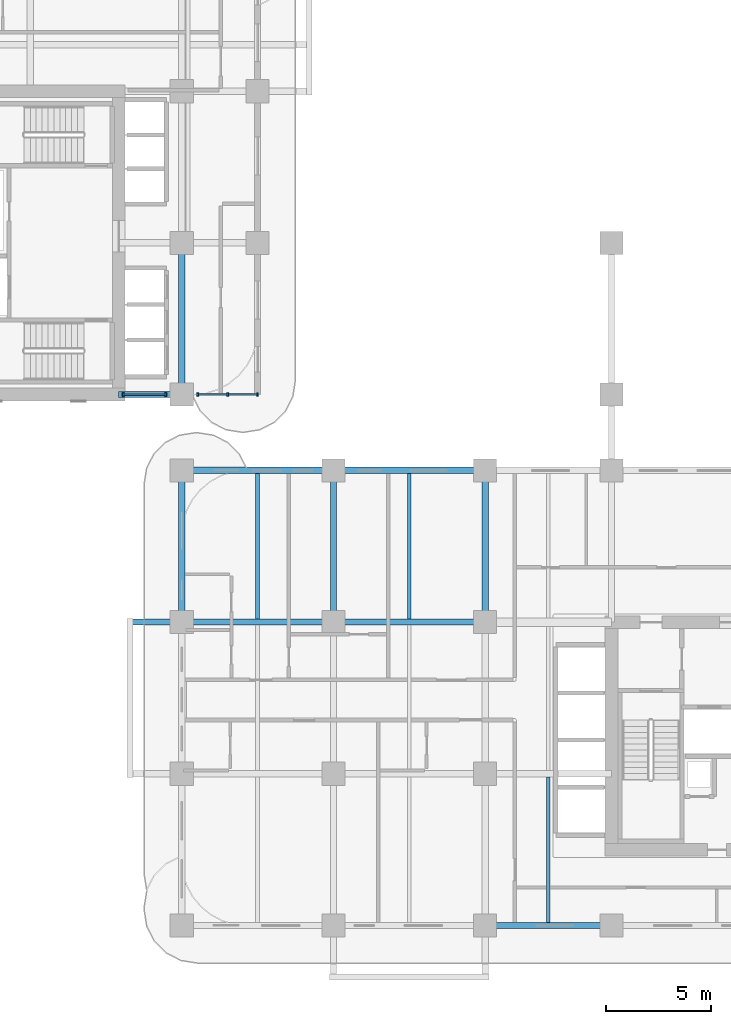
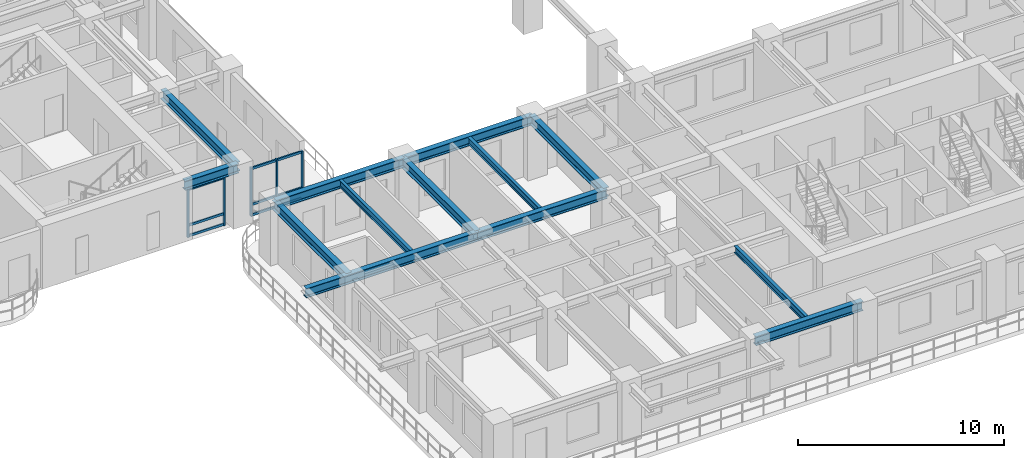
# One storey, part 2 of 19: 14 members, 13 beams, 2 elements without a shape of their own.
"""IFC4 building model written with IfcOpenShell, lengths in metres."""

import ifcopenshell
import ifcopenshell.guid

model = None  # the IFC model being written
_history = None  # IfcOwnerHistory: only IFC2X3 demands one
_inside = {}  # id of a spatial element -> (the spatial element, [elements in it])
_under = {}  # id of a project, library or spatial element -> (it, [spatial elements below it])
_declared = {}  # id of a project -> (the project, [libraries it declares])
_typed = {}  # id of a type object -> (the type object, [elements of that type])
_made_of = {}  # id of a material, layer set ... -> (it, [elements and type objects made of it])


def new_model(schema):
    """Start an empty IFC model of exactly this schema.

    Asked for "IFC4X3", IfcOpenShell would pick the latest addendum, in which some entities
    have other attributes; the version numbers below select the first issue.
    IFC2X3 requires an IfcOwnerHistory on every rooted entity: one is made here for all.
    """
    global model, _history
    if schema == "IFC4X3":
        model = ifcopenshell.file(schema_version=(4, 3, 0, 0))
    else:
        model = ifcopenshell.file(schema=schema)
    _inside.clear()
    _under.clear()
    _declared.clear()
    _typed.clear()
    _made_of.clear()
    _history = None
    if model.schema == "IFC2X3":
        org = make("IfcOrganization", Name="unknown")
        user = make(
            "IfcPersonAndOrganization",
            ThePerson=make("IfcPerson", FamilyName="unknown"),
            TheOrganization=org,
        )
        app = make(
            "IfcApplication",
            ApplicationDeveloper=org,
            Version="unknown",
            ApplicationFullName="unknown",
            ApplicationIdentifier="unknown",
        )
        _history = make(
            "IfcOwnerHistory",
            OwningUser=user,
            OwningApplication=app,
            ChangeAction="ADDED",
            CreationDate=0,
        )
    return model


def make(cls, **values):
    """One entity of the class cls with the attributes given. An attribute that is None is left unset."""
    return model.create_entity(
        cls, **{name: value for name, value in values.items() if value is not None}
    )


def rooted(cls, **values):
    """An entity with a GlobalId (a new one), such as an element, a storey or a relation."""
    return make(cls, GlobalId=ifcopenshell.guid.new(), OwnerHistory=_history, **values)


def si_unit(unit_type, name, prefix=None):
    """IfcSIUnit, for example si_unit("LENGTHUNIT", "METRE", prefix="MILLI")."""
    return make("IfcSIUnit", UnitType=unit_type, Prefix=prefix, Name=name)


def derived_unit(unit_type, elements):
    """IfcDerivedUnit: a product of units, each with its exponent."""
    return make(
        "IfcDerivedUnit",
        Elements=[
            make("IfcDerivedUnitElement", Unit=unit, Exponent=power)
            for unit, power in elements
        ],
        UnitType=unit_type,
    )


def assignment(units):
    """IfcUnitAssignment: the units of a project."""
    return None if units is None else make("IfcUnitAssignment", Units=units)


def point(xyz):
    """IfcCartesianPoint."""
    return None if xyz is None else make("IfcCartesianPoint", Coordinates=xyz)


def direction(xyz):
    """IfcDirection."""
    return None if xyz is None else make("IfcDirection", DirectionRatios=xyz)


def frame(location, z_axis=None, x_axis=None):
    """IfcAxis2Placement3D, a coordinate frame: its origin and axes. An axis left out is left unset."""
    return make(
        "IfcAxis2Placement3D",
        Location=point(location),
        Axis=direction(z_axis),
        RefDirection=direction(x_axis),
    )


def frame_2d(location, x_axis=None):
    """IfcAxis2Placement2D, a coordinate frame in the plane: its origin and x axis."""
    return make(
        "IfcAxis2Placement2D", Location=point(location), RefDirection=direction(x_axis)
    )


def origin():
    """The frame at (0, 0, 0) with its axes left unset."""
    return frame((0.0, 0.0, 0.0))


def origin_2d():
    """The frame at (0, 0) in the plane with its x axis left unset."""
    return frame_2d((0.0, 0.0))


def place(relative_to, where):
    """IfcLocalPlacement: puts the frame where relative to a parent placement (None: the world)."""
    return make(
        "IfcLocalPlacement", PlacementRelTo=relative_to, RelativePlacement=where
    )


def context(
    kind, dimensions, precision=None, world=None, true_north=None, identifier=None
):
    """IfcGeometricRepresentationContext, for example the 3D "Model" context."""
    return make(
        "IfcGeometricRepresentationContext",
        ContextIdentifier=identifier,
        ContextType=kind,
        CoordinateSpaceDimension=dimensions,
        Precision=precision,
        WorldCoordinateSystem=world,
        TrueNorth=true_north,
    )


def subcontext(parent, identifier, kind, view, scale=None):
    """IfcGeometricRepresentationSubContext, for example "Body" below "Model"."""
    return make(
        "IfcGeometricRepresentationSubContext",
        ContextIdentifier=identifier,
        ContextType=kind,
        ParentContext=parent,
        TargetScale=scale,
        TargetView=view,
    )


def project(units=None, contexts=None):
    """IfcProject with its units and contexts."""
    return rooted(
        "IfcProject",
        Name="project",
        RepresentationContexts=contexts,
        UnitsInContext=assignment(units),
    )


def spatial(cls, under=None, at=None, **own):
    """A site, building, storey or space (cls), placed at a placement, below another one or the project."""
    s = rooted(cls, ObjectPlacement=at, **own)
    if under is not None:
        _under.setdefault(under.id(), (under, []))[1].append(s)
    return s


def profile(cls, at=None, kind="AREA", **sizes):
    """A parametric profile (cls). Its sizes go by their IFC names, for example OverallWidth=200.0."""
    return make(cls, ProfileType=kind, Position=at, **sizes)


def rectangle(**sizes):
    """IfcRectangleProfileDef."""
    return profile("IfcRectangleProfileDef", **sizes)


def i_section(**sizes):
    """IfcIShapeProfileDef."""
    return profile("IfcIShapeProfileDef", **sizes)


def extrude(swept, where, along, depth):
    """IfcExtrudedAreaSolid: the profile swept, set in the frame where, extruded along a direction by depth."""
    return make(
        "IfcExtrudedAreaSolid",
        SweptArea=swept,
        Position=where,
        ExtrudedDirection=direction(along),
        Depth=depth,
    )


def shape(context_of_items, identifier, shape_type, items):
    """IfcShapeRepresentation: the items that make up one representation, for example the "Body"."""
    return make(
        "IfcShapeRepresentation",
        ContextOfItems=context_of_items,
        RepresentationIdentifier=identifier,
        RepresentationType=shape_type,
        Items=items,
    )


def source(mapping_origin, context_of_items, identifier, shape_type, items):
    """IfcRepresentationMap: a shape defined once, which mapped items show again and again."""
    return make(
        "IfcRepresentationMap",
        MappingOrigin=mapping_origin,
        MappedRepresentation=shape(context_of_items, identifier, shape_type, items),
    )


def transform(
    local_origin,
    x_axis=None,
    y_axis=None,
    z_axis=None,
    scale=None,
    scale2=None,
    scale3=None,
    uniform=True,
):
    """IfcCartesianTransformationOperator3D, or its non-uniform kind. x_axis, y_axis, z_axis: its Axis1, 2, 3."""
    if uniform:
        return make(
            "IfcCartesianTransformationOperator3D",
            Axis1=direction(x_axis),
            Axis2=direction(y_axis),
            LocalOrigin=point(local_origin),
            Scale=scale,
            Axis3=direction(z_axis),
        )
    return make(
        "IfcCartesianTransformationOperator3DnonUniform",
        Axis1=direction(x_axis),
        Axis2=direction(y_axis),
        LocalOrigin=point(local_origin),
        Scale=scale,
        Axis3=direction(z_axis),
        Scale2=scale2,
        Scale3=scale3,
    )


def mapped(mapping_source, mapping_target):
    """IfcMappedItem: shows the shape of a source again, moved by a transform."""
    return make(
        "IfcMappedItem", MappingSource=mapping_source, MappingTarget=mapping_target
    )


def material(Name=None, Category=None):
    """IfcMaterial."""
    return make("IfcMaterial", Name=Name, Category=Category)


def layer(
    of_material, thickness, ventilated=None, Name=None, Category=None, Priority=None
):
    """IfcMaterialLayer: one layer of a wall or slab, of a material (None: an air gap)."""
    return make(
        "IfcMaterialLayer",
        Material=of_material,
        LayerThickness=thickness,
        IsVentilated=ventilated,
        Name=Name,
        Category=Category,
        Priority=Priority,
    )


def layer_set(layers, Name=None):
    """IfcMaterialLayerSet."""
    return make("IfcMaterialLayerSet", MaterialLayers=layers, LayerSetName=Name)


def material_profile(
    of_material, cross_section, Name=None, Category=None, Priority=None
):
    """IfcMaterialProfile: a cross section and its material."""
    return make(
        "IfcMaterialProfile",
        Name=Name,
        Material=of_material,
        Profile=cross_section,
        Priority=Priority,
        Category=Category,
    )


def profile_set(profiles, Name=None, composite=None):
    """IfcMaterialProfileSet."""
    return make(
        "IfcMaterialProfileSet",
        Name=Name,
        MaterialProfiles=profiles,
        CompositeProfile=composite,
    )


def made_of(thing, what):
    """Note that an element or type object is made of a material, layer set ...; save() writes the relation."""
    if what is not None:
        _made_of.setdefault(what.id(), (what, []))[1].append(thing)
    return thing


def type_object(cls, material=None, **own):
    """A type object (cls), such as IfcWallType, which elements share."""
    return made_of(rooted(cls, **own), material)


def type_shapes(of_type, sources):
    """Give a type object the sources (RepresentationMaps) that its elements show as mapped items."""
    of_type.RepresentationMaps = sources


def element(
    cls,
    number,
    at=None,
    inside=None,
    cuts=None,
    type_object=None,
    material=None,
    context=None,
    identifier="Body",
    shape_type=None,
    held_by="IfcProductDefinitionShape",
    body=None,
    shapes=None,
    **own,
):
    """One element of the class cls, such as IfcWall. Its Tag is "e" and its number.

    at: its placement. inside: the storey or other place that contains it. cuts: it is an
    opening in that element (IfcRelVoidsElement). A single representation is given by context,
    identifier, shape_type and body (its items); several are given by shapes. held_by: the class
    of the entity that holds the representations. save() writes the other relations.
    """
    e = rooted(cls, Tag="e%d" % number, ObjectPlacement=at, **own)
    if body is not None:
        shapes = [shape(context, identifier, shape_type, body)]
    if shapes is not None:
        e.Representation = make(held_by, Representations=shapes)
    if inside is not None:
        _inside.setdefault(inside.id(), (inside, []))[1].append(e)
    if cuts is not None:
        rooted(
            "IfcRelVoidsElement", RelatingBuildingElement=cuts, RelatedOpeningElement=e
        )
    if type_object is not None:
        _typed.setdefault(type_object.id(), (type_object, []))[1].append(e)
    return made_of(e, material)


def aggregate(whole, parts):
    """IfcRelAggregates: a whole, such as a stair, and the parts it consists of."""
    return rooted("IfcRelAggregates", RelatingObject=whole, RelatedObjects=parts)


def save(model, path):
    """Write the relations noted so far, then the file.

    IfcRelAggregates (storeys below a building ...), IfcRelContainedInSpatialStructure (elements
    in a storey), IfcRelDefinesByType, IfcRelAssociatesMaterial and IfcRelDeclares: one each for
    every whole, place, type object, material and project.
    """
    for whole, parts in _under.values():
        aggregate(whole, parts)
    for where, things in _inside.values():
        rooted(
            "IfcRelContainedInSpatialStructure",
            RelatedElements=things,
            RelatingStructure=where,
        )
    for kind, things in _typed.values():
        rooted("IfcRelDefinesByType", RelatedObjects=things, RelatingType=kind)
    for what, things in _made_of.values():
        rooted("IfcRelAssociatesMaterial", RelatedObjects=things, RelatingMaterial=what)
    for by, libraries in _declared.values():
        rooted("IfcRelDeclares", RelatingContext=by, RelatedDefinitions=libraries)
    model.write(path)


model = new_model("IFC4")

# Units and contexts
model_context = context("Model", 3, precision=1e-05, world=origin(), true_north=direction((0.0, 1.0)))
body_context = subcontext(model_context, "Body", "Model", "MODEL_VIEW")
ifc_project = project(units=[si_unit("LENGTHUNIT", "METRE"), si_unit("AREAUNIT", "SQUARE_METRE"), si_unit("VOLUMEUNIT", "CUBIC_METRE"), si_unit("PLANEANGLEUNIT", "RADIAN"), si_unit("MASSUNIT", "GRAM", prefix="KILO"), si_unit("THERMODYNAMICTEMPERATUREUNIT", "KELVIN"), si_unit("POWERUNIT", "WATT"), derived_unit("THERMALTRANSMITTANCEUNIT", [(si_unit("POWERUNIT", "WATT"), 1), (si_unit("AREAUNIT", "SQUARE_METRE"), -1), (si_unit("THERMODYNAMICTEMPERATUREUNIT", "KELVIN"), -1)])], contexts=[model_context])

# Site, building, storey
site_placement = place(None, origin())
site = spatial("IfcSite", under=ifc_project, at=site_placement, CompositionType="ELEMENT")
building_placement = place(site_placement, origin())
building = spatial("IfcBuilding", under=site, at=building_placement, Name="Zahravan Archway Hotel and Residences", CompositionType="ELEMENT")
storey_placement = place(building_placement, frame((0.0, 0.0, 43.5)))
storey = spatial("IfcBuildingStorey", under=building, at=storey_placement, Name="L09", CompositionType="ELEMENT", Elevation=43.5)

# Beams
ifc_material_1 = material(Name="Structural Steel S355JR", Category="steel")
ifc_material_profile_1 = material_profile(ifc_material_1, i_section(OverallWidth=0.300048828125, OverallDepth=0.550048828125, WebThickness=0.014892578125, FlangeThickness=0.029052734375, FilletRadius=0.027099609375, at=origin_2d()), Name="HEB 550", Category="steel")
ifc_profile_set_1 = profile_set([ifc_material_profile_1], Name="Structural Steel S355JR")
beam_type_1 = type_object("IfcBeamType", Name="BM-PRI-HEB550", PredefinedType="BEAM", material=ifc_profile_set_1)
shared_shape_1 = source(origin(), body_context, "Body", "SweptSolid", [
    extrude(i_section(OverallWidth=0.300048828125, OverallDepth=0.550048828125, WebThickness=0.014892578125, FlangeThickness=0.029052734375, FilletRadius=0.027099609375, at=origin_2d()), origin(), (0.0, 0.0, 1.0), 7.2001953125),
])
type_shapes(beam_type_1, [shared_shape_1])
for number, where, z_axis, x_axis, name in (
    (1, (14.39990234375, 21.60009765625, 3.175048828125), (1.0, 0.0, 0.0), (0.0, 1.0, 0.0), "L09 Primary Girder EW-14"),
    (2, (14.39990234375, 14.39990234375, 3.175048828125), (0.0, 1.0, 0.0), (-1.0, 0.0, 0.0), "L09 Primary Girder NS-33"),
    (3, (21.60009765625, 14.39990234375, 3.175048828125), (0.0, 1.0, 0.0), (-1.0, 0.0, 0.0), "L09 Primary Girder NS-39"),
    (4, (28.800048828125, 14.39990234375, 3.175048828125), (0.0, 1.0, 0.0), (-1.0, 0.0, 0.0), "L09 Primary Girder NS-42"),
):
    element("IfcBeam", number, at=place(storey_placement, frame(where, z_axis=z_axis, x_axis=x_axis)), inside=storey, type_object=beam_type_1, Name=name, PredefinedType="BEAM", context=body_context, shape_type="MappedRepresentation", body=[
        mapped(shared_shape_1, transform((0.0, 0.0, 0.0), scale=1.0)),
    ])
shared_shape_2 = source(origin(), body_context, "Body", "SweptSolid", [
    extrude(i_section(OverallWidth=0.300048828125, OverallDepth=0.550048828125, WebThickness=0.014892578125, FlangeThickness=0.029052734375, FilletRadius=0.027099609375, at=origin_2d()), origin(), (0.0, 0.0, 1.0), 7.199951171875),
])
for number, where, z_axis, x_axis, name in (
    (5, (21.60009765625, 14.39990234375, 3.175048828125), (1.0, 0.0, 0.0), (0.0, 1.0, 0.0), "L09 Primary Girder EW-12"),
    (6, (21.60009765625, 21.60009765625, 3.175048828125), (1.0, 0.0, 0.0), (0.0, 1.0, 0.0), "L09 Primary Girder EW-15"),
    (7, (14.39990234375, 25.199951171875, 3.175048828125), (0.0, 1.0, 0.0), (-1.0, 0.0, 0.0), "L09 Primary Girder NS-34"),
):
    element("IfcBeam", number, at=place(storey_placement, frame(where, z_axis=z_axis, x_axis=x_axis)), inside=storey, type_object=beam_type_1, Name=name, PredefinedType="BEAM", context=body_context, shape_type="MappedRepresentation", body=[
        mapped(shared_shape_2, transform((0.0, 0.0, 0.0), scale=1.0)),
    ])
shared_shape_3 = source(origin(), body_context, "Body", "SweptSolid", [
    extrude(i_section(OverallWidth=0.300048828125, OverallDepth=0.550048828125, WebThickness=0.014892578125, FlangeThickness=0.029052734375, FilletRadius=0.027099609375, at=origin_2d()), origin(), (0.0, 0.0, 1.0), 6.0),
])
beam_1_placement = place(storey_placement, frame((28.800048828125, 0.0, 3.175048828125), z_axis=(1.0, 0.0, 0.0), x_axis=(0.0, 1.0, 0.0)))
element("IfcBeam", 8, at=beam_1_placement, inside=storey, type_object=beam_type_1, Name="L09 Primary Girder EW-03", PredefinedType="BEAM", context=body_context, shape_type="MappedRepresentation", body=[
    mapped(shared_shape_3, transform((0.0, 0.0, 0.0), scale=1.0)),
])
shared_shape_4 = source(origin(), body_context, "Body", "SweptSolid", [
    extrude(i_section(OverallWidth=0.300048828125, OverallDepth=0.550048828125, WebThickness=0.014892578125, FlangeThickness=0.029052734375, FilletRadius=0.027099609375, at=origin_2d()), origin(), (0.0, 0.0, 1.0), 3.0),
])
beam_2_placement = place(storey_placement, frame((11.39990234375, 25.199951171875, 3.175048828125), z_axis=(1.0, 0.0, 0.0), x_axis=(0.0, 1.0, 0.0)))
element("IfcBeam", 9, at=beam_2_placement, inside=storey, type_object=beam_type_1, Name="L09 Primary Girder EW-20", PredefinedType="BEAM", context=body_context, shape_type="MappedRepresentation", body=[
    mapped(shared_shape_4, transform((0.0, 0.0, 0.0), scale=1.0)),
])
ifc_material_profile_2 = material_profile(ifc_material_1, i_section(OverallWidth=0.179931640625, OverallDepth=0.39990234375, WebThickness=0.008544921875, FlangeThickness=0.013427734375, FilletRadius=0.02099609375, at=origin_2d()), Name="IPE 400", Category="steel")
ifc_profile_set_2 = profile_set([ifc_material_profile_2], Name="Structural Steel S355JR")
beam_type_2 = type_object("IfcBeamType", Name="BM-JST-IPE400", PredefinedType="JOIST", material=ifc_profile_set_2)
shared_shape_5 = source(origin(), body_context, "Body", "SweptSolid", [
    extrude(i_section(OverallWidth=0.179931640625, OverallDepth=0.39990234375, WebThickness=0.008544921875, FlangeThickness=0.013427734375, FilletRadius=0.02099609375, at=origin_2d()), origin(), (0.0, 0.0, 1.0), 6.904052734375),
])
type_shapes(beam_type_2, [shared_shape_5])
beam_3_placement = place(storey_placement, frame((31.800048828125, 0.14794921875, 3.25), z_axis=(0.0, 1.0, 0.0), x_axis=(-1.0, 0.0, 0.0)))
element("IfcBeam", 10, at=beam_3_placement, inside=storey, type_object=beam_type_2, Name="L09 Composite Floor Joist 03", PredefinedType="JOIST", context=body_context, shape_type="MappedRepresentation", body=[
    mapped(shared_shape_5, transform((0.0, 0.0, 0.0), scale=1.0)),
])
shared_shape_6 = source(origin(), body_context, "Body", "SweptSolid", [
    extrude(i_section(OverallWidth=0.179931640625, OverallDepth=0.39990234375, WebThickness=0.008544921875, FlangeThickness=0.013427734375, FilletRadius=0.02099609375, at=origin_2d()), origin(), (0.0, 0.0, 1.0), 6.90380859375),
])
for number, where, z_axis, x_axis, name in (
    (11, (18.0, 14.548095703125, 3.25), (0.0, 1.0, 0.0), (-1.0, 0.0, 0.0), "L09 Composite Floor Joist 10"),
    (12, (25.199951171875, 14.548095703125, 3.25), (0.0, 1.0, 0.0), (-1.0, 0.0, 0.0), "L09 Composite Floor Joist 11"),
):
    element("IfcBeam", number, at=place(storey_placement, frame(where, z_axis=z_axis, x_axis=x_axis)), inside=storey, type_object=beam_type_2, Name=name, PredefinedType="JOIST", context=body_context, shape_type="MappedRepresentation", body=[
        mapped(shared_shape_6, transform((0.0, 0.0, 0.0), scale=1.0)),
    ])
shared_shape_7 = source(origin(), body_context, "Body", "SweptSolid", [
    extrude(i_section(OverallWidth=0.300048828125, OverallDepth=0.550048828125, WebThickness=0.014892578125, FlangeThickness=0.029052734375, FilletRadius=0.027099609375, at=origin_2d()), origin(), (0.0, 0.0, 1.0), 9.650146484375),
])
beam_4_placement = place(storey_placement, frame((11.949951171875, 14.39990234375, 3.175048828125), z_axis=(1.0, 0.0, 0.0), x_axis=(0.0, 1.0, 0.0)))
element("IfcBeam", 13, at=beam_4_placement, inside=storey, type_object=beam_type_1, Name="L09 Primary Girder EW-11", PredefinedType="BEAM", context=body_context, shape_type="MappedRepresentation", body=[
    mapped(shared_shape_7, transform((0.0, 0.0, 0.0), scale=1.0)),
])

# Curtain wall, members
ifc_material_2 = material(Name="Bronze-Anodized Unitised Aluminium & Low-E Glass", Category="aluminium")
ifc_layer = layer(ifc_material_2, 0.179931640625, Name="Bronze-Anodized Unitised Aluminium & Low-E Glass", Category="aluminium")
ifc_layer_set = layer_set([ifc_layer], Name="Bronze-Anodized Unitised Aluminium & Low-E Glass")
curtain_wall_type = type_object("IfcCurtainWallType", Name="CW-ATR-GLAZ", PredefinedType="NOTDEFINED", material=ifc_layer_set)
curtain_wall_1_placement = place(storey_placement, origin())
curtain_wall_1 = element("IfcCurtainWall", 14, at=curtain_wall_1_placement, inside=storey, type_object=curtain_wall_type, Name="L09 Curtain Wall CW-L09-WB-SE-2", PredefinedType="NOTDEFINED")
ifc_material_3 = material(Name="Bronze-Anodized Extruded Aluminium", Category="aluminium")
ifc_material_profile_3 = material_profile(ifc_material_3, rectangle(XDim=0.080078125, YDim=0.139892578125, at=origin_2d()), Name="TRN 80x140", Category="aluminium")
ifc_profile_set_3 = profile_set([ifc_material_profile_3], Name="Bronze-Anodized Extruded Aluminium")
member_type_1 = type_object("IfcMemberType", Name="CWM-TRN-140", PredefinedType="USERDEFINED", material=ifc_profile_set_3)
shared_shape_8 = source(origin(), body_context, "Body", "SweptSolid", [
    extrude(rectangle(XDim=0.080078125, YDim=0.139892578125, at=origin_2d()), origin(), (0.0, 0.0, 1.0), 1.33984375),
])
member_1_placement = place(storey_placement, frame((16.6201171875, 25.199951171875, 0.070068359375), z_axis=(1.0, 0.0, 0.0), x_axis=(0.0, 1.0, 0.0)))
member_1 = element("IfcMember", 15, at=member_1_placement, type_object=member_type_1, Name="CW-L09-WB-SE-2 Transom 1-1", ObjectType="TRANSOM", PredefinedType="USERDEFINED", context=body_context, shape_type="MappedRepresentation", body=[
    mapped(shared_shape_8, transform((0.0, 0.0, 0.0), scale=1.0)),
])
member_2_placement = place(storey_placement, frame((16.6201171875, 25.199951171875, 0.6923828125), z_axis=(1.0, 0.0, 0.0), x_axis=(0.0, 1.0, 0.0)))
member_2 = element("IfcMember", 16, at=member_2_placement, type_object=member_type_1, Name="CW-L09-WB-SE-2 Transom 1-2", ObjectType="TRANSOM", PredefinedType="USERDEFINED", context=body_context, shape_type="MappedRepresentation", body=[
    mapped(shared_shape_8, transform((0.0, 0.0, 0.0), scale=1.0)),
])
member_3_placement = place(storey_placement, frame((16.6201171875, 25.199951171875, 2.81494140625), z_axis=(1.0, 0.0, 0.0), x_axis=(0.0, 1.0, 0.0)))
member_3 = element("IfcMember", 17, at=member_3_placement, type_object=member_type_1, Name="CW-L09-WB-SE-2 Transom 1-3", ObjectType="TRANSOM", PredefinedType="USERDEFINED", context=body_context, shape_type="MappedRepresentation", body=[
    mapped(shared_shape_8, transform((0.0, 0.0, 0.0), scale=1.0)),
])
shared_shape_9 = source(origin(), body_context, "Body", "SweptSolid", [
    extrude(rectangle(XDim=0.080078125, YDim=0.139892578125, at=origin_2d()), origin(), (0.0, 0.0, 1.0), 1.340087890625),
])
member_4_placement = place(storey_placement, frame((15.199951171875, 25.199951171875, 0.070068359375), z_axis=(1.0, 0.0, 0.0), x_axis=(0.0, 1.0, 0.0)))
member_4 = element("IfcMember", 18, at=member_4_placement, type_object=member_type_1, Name="CW-L09-WB-SE-2 Transom 0-1", ObjectType="TRANSOM", PredefinedType="USERDEFINED", context=body_context, shape_type="MappedRepresentation", body=[
    mapped(shared_shape_9, transform((0.0, 0.0, 0.0), scale=1.0)),
])
member_5_placement = place(storey_placement, frame((15.199951171875, 25.199951171875, 0.6923828125), z_axis=(1.0, 0.0, 0.0), x_axis=(0.0, 1.0, 0.0)))
member_5 = element("IfcMember", 19, at=member_5_placement, type_object=member_type_1, Name="CW-L09-WB-SE-2 Transom 0-2", ObjectType="TRANSOM", PredefinedType="USERDEFINED", context=body_context, shape_type="MappedRepresentation", body=[
    mapped(shared_shape_9, transform((0.0, 0.0, 0.0), scale=1.0)),
])
member_6_placement = place(storey_placement, frame((15.199951171875, 25.199951171875, 2.81494140625), z_axis=(1.0, 0.0, 0.0), x_axis=(0.0, 1.0, 0.0)))
member_6 = element("IfcMember", 20, at=member_6_placement, type_object=member_type_1, Name="CW-L09-WB-SE-2 Transom 0-3", ObjectType="TRANSOM", PredefinedType="USERDEFINED", context=body_context, shape_type="MappedRepresentation", body=[
    mapped(shared_shape_9, transform((0.0, 0.0, 0.0), scale=1.0)),
])

curtain_wall_2_placement = place(storey_placement, origin())
curtain_wall_2 = element("IfcCurtainWall", 21, at=curtain_wall_2_placement, inside=storey, type_object=curtain_wall_type, Name="L09 Curtain Wall CW-L09-WB-SE-1", PredefinedType="NOTDEFINED")
ifc_material_profile_4 = material_profile(ifc_material_3, rectangle(XDim=0.080078125, YDim=0.159912109375, at=origin_2d()), Name="MUL 80x160", Category="aluminium")
ifc_profile_set_4 = profile_set([ifc_material_profile_4], Name="Bronze-Anodized Extruded Aluminium")
member_type_2 = type_object("IfcMemberType", Name="CWM-MUL-160", PredefinedType="MULLION", material=ifc_profile_set_4)
shared_shape_10 = source(origin(), body_context, "Body", "SweptSolid", [
    extrude(rectangle(XDim=0.080078125, YDim=0.159912109375, at=origin_2d()), origin(), (0.0, 0.0, 1.0), 2.885009765625),
])
member_7_placement = place(storey_placement, frame((11.6201171875, 25.199951171875, 0.0), z_axis=(0.0, 0.0, 1.0), x_axis=(1.0, 0.0, 0.0)))
member_7 = element("IfcMember", 22, at=member_7_placement, type_object=member_type_2, Name="CW-L09-WB-SE-1 Mullion 0", PredefinedType="MULLION", context=body_context, shape_type="MappedRepresentation", body=[
    mapped(shared_shape_10, transform((0.0, 0.0, 0.0), scale=1.0)),
])
member_8_placement = place(storey_placement, frame((13.639892578125, 25.199951171875, 0.0), z_axis=(0.0, 0.0, 1.0), x_axis=(1.0, 0.0, 0.0)))
member_8 = element("IfcMember", 23, at=member_8_placement, type_object=member_type_2, Name="CW-L09-WB-SE-1 Mullion 1", PredefinedType="MULLION", context=body_context, shape_type="MappedRepresentation", body=[
    mapped(shared_shape_10, transform((0.0, 0.0, 0.0), scale=1.0)),
])

# Member
member_9_placement = place(storey_placement, frame((15.159912109375, 25.199951171875, 0.0), z_axis=(0.0, 0.0, 1.0), x_axis=(1.0, 0.0, 0.0)))
member_9 = element("IfcMember", 24, at=member_9_placement, type_object=member_type_2, Name="CW-L09-WB-SE-2 Mullion 0", PredefinedType="MULLION", context=body_context, shape_type="MappedRepresentation", body=[
    mapped(shared_shape_10, transform((0.0, 0.0, 0.0), scale=1.0)),
])

member_10_placement = place(storey_placement, frame((16.580078125, 25.199951171875, 0.0), z_axis=(0.0, 0.0, 1.0), x_axis=(1.0, 0.0, 0.0)))
member_10 = element("IfcMember", 25, at=member_10_placement, type_object=member_type_2, Name="CW-L09-WB-SE-2 Mullion 1", PredefinedType="MULLION", context=body_context, shape_type="MappedRepresentation", body=[
    mapped(shared_shape_10, transform((0.0, 0.0, 0.0), scale=1.0)),
])

member_11_placement = place(storey_placement, frame((18.0, 25.199951171875, 0.0), z_axis=(0.0, 0.0, 1.0), x_axis=(1.0, 0.0, 0.0)))
member_11 = element("IfcMember", 26, at=member_11_placement, type_object=member_type_2, Name="CW-L09-WB-SE-2 Mullion 2", PredefinedType="MULLION", context=body_context, shape_type="MappedRepresentation", body=[
    mapped(shared_shape_10, transform((0.0, 0.0, 0.0), scale=1.0)),
])

aggregate(curtain_wall_1, [member_9, member_10, member_11, member_4, member_5, member_6, member_1, member_2, member_3])

shared_shape_11 = source(origin(), body_context, "Body", "SweptSolid", [
    extrude(rectangle(XDim=0.080078125, YDim=0.139892578125, at=origin_2d()), origin(), (0.0, 0.0, 1.0), 1.940185546875),
])
member_12_placement = place(storey_placement, frame((11.659912109375, 25.199951171875, 0.070068359375), z_axis=(1.0, 0.0, 0.0), x_axis=(0.0, 1.0, 0.0)))
member_12 = element("IfcMember", 27, at=member_12_placement, type_object=member_type_1, Name="CW-L09-WB-SE-1 Transom 0-1", ObjectType="TRANSOM", PredefinedType="USERDEFINED", context=body_context, shape_type="MappedRepresentation", body=[
    mapped(shared_shape_11, transform((0.0, 0.0, 0.0), scale=1.0)),
])

member_13_placement = place(storey_placement, frame((11.659912109375, 25.199951171875, 0.6923828125), z_axis=(1.0, 0.0, 0.0), x_axis=(0.0, 1.0, 0.0)))
member_13 = element("IfcMember", 28, at=member_13_placement, type_object=member_type_1, Name="CW-L09-WB-SE-1 Transom 0-2", ObjectType="TRANSOM", PredefinedType="USERDEFINED", context=body_context, shape_type="MappedRepresentation", body=[
    mapped(shared_shape_11, transform((0.0, 0.0, 0.0), scale=1.0)),
])

member_14_placement = place(storey_placement, frame((11.659912109375, 25.199951171875, 2.81494140625), z_axis=(1.0, 0.0, 0.0), x_axis=(0.0, 1.0, 0.0)))
member_14 = element("IfcMember", 29, at=member_14_placement, type_object=member_type_1, Name="CW-L09-WB-SE-1 Transom 0-3", ObjectType="TRANSOM", PredefinedType="USERDEFINED", context=body_context, shape_type="MappedRepresentation", body=[
    mapped(shared_shape_11, transform((0.0, 0.0, 0.0), scale=1.0)),
])

aggregate(curtain_wall_2, [member_7, member_8, member_12, member_13, member_14])

save(model, "model.ifc")
